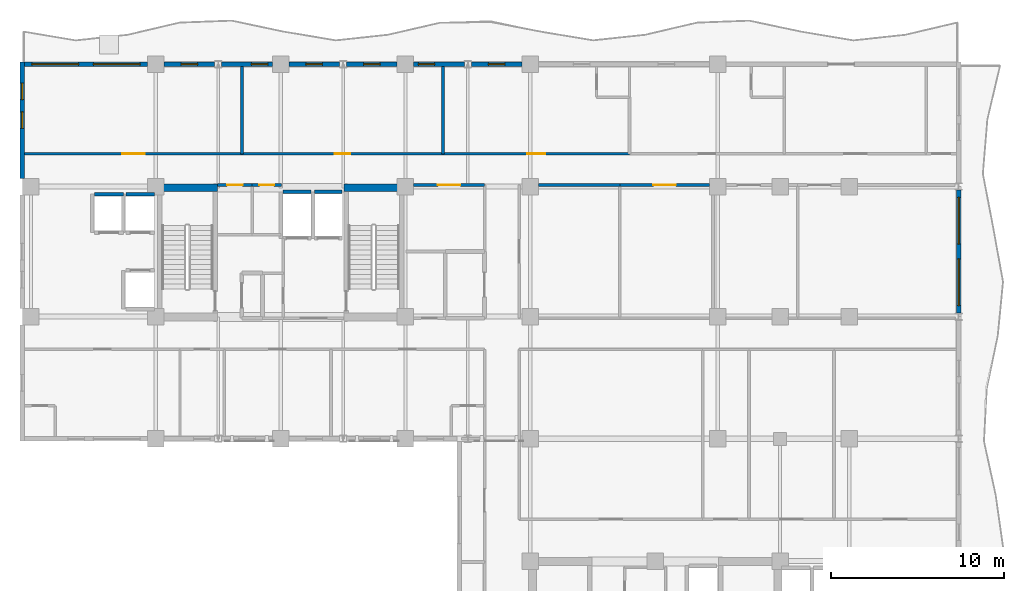
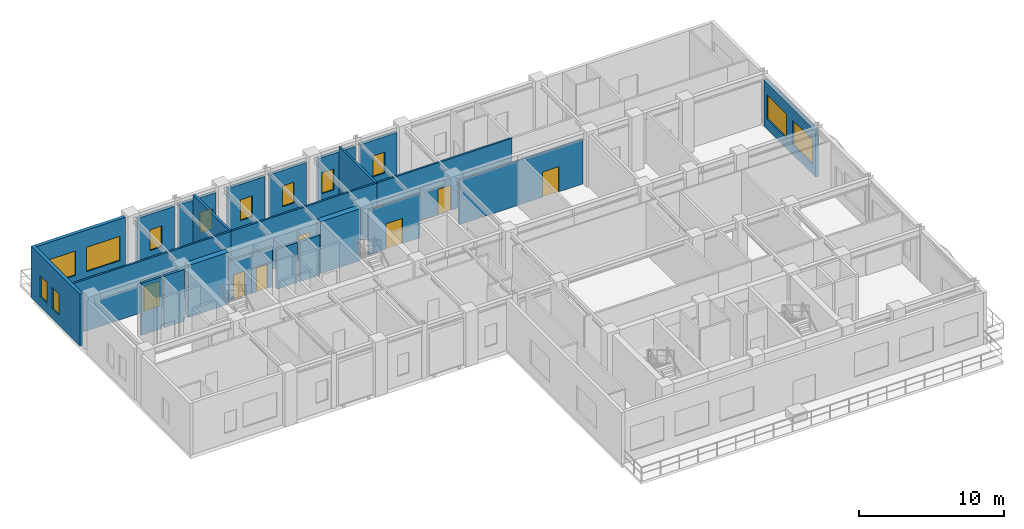
# One storey, part 9 of 14: 25 walls, 12 windows, 7 doors, 19 openings.
"""IFC4 building model written with IfcOpenShell, lengths in metres."""

from ifc_helpers import new_model, si_unit, direction, frame, frame_2d, origin, place, context, subcontext, project, spatial, rectangle, extrude, material, layer, layer_set, type_object, element, fill, save


model = new_model("IFC4")

# Units and contexts
model_context = context("Model", 3, precision=1e-05, world=origin(), true_north=direction((0.0, 1.0)))
body_context = subcontext(model_context, "Body", "Model", "MODEL_VIEW")
ifc_project = project(units=[si_unit("LENGTHUNIT", "METRE"), si_unit("AREAUNIT", "SQUARE_METRE"), si_unit("VOLUMEUNIT", "CUBIC_METRE"), si_unit("PLANEANGLEUNIT", "RADIAN"), si_unit("MASSUNIT", "GRAM", prefix="KILO")], contexts=[model_context])

# Site, building, storey
site_placement = place(None, origin())
site = spatial("IfcSite", under=ifc_project, at=site_placement, CompositionType="ELEMENT")
building_placement = place(site_placement, origin())
building = spatial("IfcBuilding", under=site, at=building_placement, Name="Kaliganga Portal Commons", CompositionType="ELEMENT")
storey_placement = place(building_placement, frame((0.0, 0.0, 197.199951171875)))
storey = spatial("IfcBuildingStorey", under=building, at=storey_placement, Name="L50", CompositionType="ELEMENT", Elevation=197.199951171875)

# Walls
ifc_material_1 = material(Name="Concrete C60/75", Category="concrete")
ifc_layer_1 = layer(ifc_material_1, 0.449951171875)
ifc_layer_set_1 = layer_set([ifc_layer_1], Name="Concrete C60/75")
wall_type_1 = type_object("IfcWallType", Name="WL-CORE-450", PredefinedType="SHEAR", material=ifc_layer_set_1)
for number, where, z_axis, x_axis, name in (
    (1, (14.75, 36.074951171875, 0.0), (0.0, 0.0, 1.0), (1.0, 0.0, 0.0), "Core A N-West Shear Wall L50"),
    (2, (25.25, 36.074951171875, 0.0), (0.0, 0.0, 1.0), (1.0, 0.0, 0.0), "Core A N-East Shear Wall L50"),
):
    element("IfcWall", number, at=place(storey_placement, frame(where, z_axis=z_axis, x_axis=x_axis)), inside=storey, type_object=wall_type_1, Name=name, PredefinedType="SHEAR", context=body_context, shape_type="SweptSolid", body=[
        extrude(rectangle(XDim=3.199951171875, YDim=0.449951171875, at=frame_2d((1.60009765625, 0.0))), origin(), (0.0, 0.0, 1.0), 4.3701171875),
    ])

# Wall, openings, windows
ifc_material_2 = material(Name="Insulated Aluminium-Clad Spandrel Assembly", Category="aluminium")
ifc_layer_2 = layer(ifc_material_2, 0.260009765625)
ifc_layer_set_2 = layer_set([ifc_layer_2], Name="Insulated Aluminium-Clad Spandrel Assembly")
wall_type_2 = type_object("IfcWallType", Name="WL-EXT-SPAND-260", PredefinedType="STANDARD", material=ifc_layer_set_2)
wall_1_placement = place(storey_placement, frame((60.699951171875, 35.948974609375, 0.0), z_axis=(0.0, 0.0, 1.0), x_axis=(0.0, -1.0, 0.0)))
wall_1 = element("IfcWall", 3, at=wall_1_placement, inside=storey, type_object=wall_type_2, Name="Exterior Envelope Wall L50 P1-E01-S5", PredefinedType="STANDARD", context=body_context, shape_type="SweptSolid", body=[
    extrude(rectangle(XDim=7.097900390625, YDim=0.260009765625, at=frame_2d((3.548828125, 0.0))), origin(), (0.0, 0.0, 1.0), 3.900146484375),
])
opening_1_placement = place(wall_1_placement, frame((0.424560546875, 0.0, 0.85009765625)))
opening_1 = element("IfcOpeningElement", 4, at=opening_1_placement, cuts=wall_1, Name="Opening W-07", PredefinedType="OPENING", context=body_context, shape_type="SweptSolid", body=[
    extrude(rectangle(XDim=2.699951171875, YDim=2.050048828125, at=frame_2d((1.35009765625, 1.02490234375))), frame((0.0, 0.14013671875, 0.0), z_axis=(0.0, -1.0, 0.0), x_axis=(1.0, 0.0, 0.0)), (0.0, 0.0, 1.0), 0.280029296875),
])
opening_2_placement = place(wall_1_placement, frame((3.973388671875, 0.0, 0.85009765625)))
opening_2 = element("IfcOpeningElement", 5, at=opening_2_placement, cuts=wall_1, Name="Opening W-07", PredefinedType="OPENING", context=body_context, shape_type="SweptSolid", body=[
    extrude(rectangle(XDim=2.699951171875, YDim=2.050048828125, at=frame_2d((1.35009765625, 1.02490234375))), frame((0.0, 0.14013671875, 0.0), z_axis=(0.0, -1.0, 0.0), x_axis=(1.0, 0.0, 0.0)), (0.0, 0.0, 1.0), 0.280029296875),
])
ifc_material_3 = material(Name="Thermally Broken Aluminium and Low-E Double Glazing", Category="aluminium")
window_type_1 = type_object("IfcWindowType", Name="WIN-LOUNGE-2700", PartitioningType="TRIPLE_PANEL_VERTICAL", PredefinedType="WINDOW", material=ifc_material_3)
window_1_placement = place(opening_1_placement, origin())
window_1 = element("IfcWindow", 6, at=window_1_placement, inside=storey, type_object=window_type_1, Name="Facade Window L50-P1E01S5-00", OverallHeight=2.050048828125, OverallWidth=2.699951171875, PartitioningType="SINGLE_PANEL", PredefinedType="WINDOW", context=body_context, shape_type="SweptSolid", body=[
    extrude(rectangle(XDim=2.699951171875, YDim=2.050048828125, at=frame_2d((1.35009765625, 1.02490234375))), frame((0.0, 0.030029296875, 0.0), z_axis=(0.0, -1.0, 0.0), x_axis=(1.0, 0.0, 0.0)), (0.0, 0.0, 1.0), 0.06005859375),
])
fill(opening_1, window_1)
window_2_placement = place(opening_2_placement, origin())
window_2 = element("IfcWindow", 7, at=window_2_placement, inside=storey, type_object=window_type_1, Name="Facade Window L50-P1E01S5-01", OverallHeight=2.050048828125, OverallWidth=2.699951171875, PartitioningType="SINGLE_PANEL", PredefinedType="WINDOW", context=body_context, shape_type="SweptSolid", body=[
    extrude(rectangle(XDim=2.699951171875, YDim=2.050048828125, at=frame_2d((1.35009765625, 1.02490234375))), frame((0.0, 0.030029296875, 0.0), z_axis=(0.0, -1.0, 0.0), x_axis=(1.0, 0.0, 0.0)), (0.0, 0.0, 1.0), 0.06005859375),
])
fill(opening_2, window_2)

# Wall, opening, window
wall_2_placement = place(storey_placement, frame((32.6005859375, 43.199951171875, 0.0), z_axis=(0.0, 0.0, 1.0), x_axis=(1.0, 0.0, 0.0)))
wall_2 = element("IfcWall", 8, at=wall_2_placement, inside=storey, type_object=wall_type_2, Name="Exterior Envelope Wall L50 P1-E02-S3", PredefinedType="STANDARD", context=body_context, shape_type="SweptSolid", body=[
    extrude(rectangle(XDim=2.92333984375, YDim=0.260009765625, at=frame_2d((1.461669921875, 0.0))), origin(), (0.0, 0.0, 1.0), 3.900146484375),
])
opening_3_placement = place(wall_2_placement, frame((0.98681640625, 0.0, 0.85009765625)))
opening_3 = element("IfcOpeningElement", 9, at=opening_3_placement, cuts=wall_2, Name="Opening W-04", PredefinedType="OPENING", context=body_context, shape_type="SweptSolid", body=[
    extrude(rectangle(XDim=0.949951171875, YDim=1.75, at=frame_2d((0.47509765625, 0.875))), frame((0.0, 0.14013671875, 0.0), z_axis=(0.0, -1.0, 0.0), x_axis=(1.0, 0.0, 0.0)), (0.0, 0.0, 1.0), 0.280029296875),
])
window_type_2 = type_object("IfcWindowType", Name="WIN-NARROW-950", PartitioningType="SINGLE_PANEL", PredefinedType="WINDOW", material=ifc_material_3)
window_3_placement = place(opening_3_placement, origin())
window_3 = element("IfcWindow", 10, at=window_3_placement, inside=storey, type_object=window_type_2, Name="Facade Window L50-P1E02S3-00", OverallHeight=1.75, OverallWidth=0.949951171875, PartitioningType="SINGLE_PANEL", PredefinedType="WINDOW", context=body_context, shape_type="SweptSolid", body=[
    extrude(rectangle(XDim=0.949951171875, YDim=1.75, at=frame_2d((0.47509765625, 0.875))), frame((0.0, 0.030029296875, 0.0), z_axis=(0.0, -1.0, 0.0), x_axis=(1.0, 0.0, 0.0)), (0.0, 0.0, 1.0), 0.06005859375),
])
fill(opening_3, window_3)

wall_3_placement = place(storey_placement, frame((29.27587890625, 43.199951171875, 0.0), z_axis=(0.0, 0.0, 1.0), x_axis=(1.0, 0.0, 0.0)))
wall_3 = element("IfcWall", 11, at=wall_3_placement, inside=storey, type_object=wall_type_2, Name="Exterior Envelope Wall L50 P1-E02-S4", PredefinedType="STANDARD", context=body_context, shape_type="SweptSolid", body=[
    extrude(rectangle(XDim=2.923583984375, YDim=0.260009765625, at=frame_2d((1.4619140625, 0.0))), origin(), (0.0, 0.0, 1.0), 3.900146484375),
])
opening_4_placement = place(wall_3_placement, frame((0.26171875, 0.0, 0.85009765625)))
opening_4 = element("IfcOpeningElement", 12, at=opening_4_placement, cuts=wall_3, Name="Opening W-04", PredefinedType="OPENING", context=body_context, shape_type="SweptSolid", body=[
    extrude(rectangle(XDim=0.949951171875, YDim=1.75, at=frame_2d((0.47509765625, 0.875))), frame((0.0, 0.14013671875, 0.0), z_axis=(0.0, -1.0, 0.0), x_axis=(1.0, 0.0, 0.0)), (0.0, 0.0, 1.0), 0.280029296875),
])
window_4_placement = place(opening_4_placement, origin())
window_4 = element("IfcWindow", 13, at=window_4_placement, inside=storey, type_object=window_type_2, Name="Facade Window L50-P1E02S4-N1", OverallHeight=1.75, OverallWidth=0.949951171875, PartitioningType="SINGLE_PANEL", PredefinedType="WINDOW", context=body_context, shape_type="SweptSolid", body=[
    extrude(rectangle(XDim=0.949951171875, YDim=1.75, at=frame_2d((0.47509765625, 0.875))), frame((0.0, 0.030029296875, 0.0), z_axis=(0.0, -1.0, 0.0), x_axis=(1.0, 0.0, 0.0)), (0.0, 0.0, 1.0), 0.06005859375),
])
fill(opening_4, window_4)

wall_4_placement = place(storey_placement, frame((25.400390625, 43.199951171875, 0.0), z_axis=(0.0, 0.0, 1.0), x_axis=(1.0, 0.0, 0.0)))
wall_4 = element("IfcWall", 14, at=wall_4_placement, inside=storey, type_object=wall_type_2, Name="Exterior Envelope Wall L50 P1-E02-S5", PredefinedType="STANDARD", context=body_context, shape_type="SweptSolid", body=[
    extrude(rectangle(XDim=2.923583984375, YDim=0.260009765625, at=frame_2d((1.4619140625, 0.0))), origin(), (0.0, 0.0, 1.0), 3.900146484375),
])
opening_5_placement = place(wall_4_placement, frame((0.98681640625, 0.0, 0.85009765625)))
opening_5 = element("IfcOpeningElement", 15, at=opening_5_placement, cuts=wall_4, Name="Opening W-04", PredefinedType="OPENING", context=body_context, shape_type="SweptSolid", body=[
    extrude(rectangle(XDim=0.949951171875, YDim=1.75, at=frame_2d((0.47509765625, 0.875))), frame((0.0, 0.14013671875, 0.0), z_axis=(0.0, -1.0, 0.0), x_axis=(1.0, 0.0, 0.0)), (0.0, 0.0, 1.0), 0.280029296875),
])
window_5_placement = place(opening_5_placement, origin())
window_5 = element("IfcWindow", 16, at=window_5_placement, inside=storey, type_object=window_type_2, Name="Facade Window L50-P1E02S5-00", OverallHeight=1.75, OverallWidth=0.949951171875, PartitioningType="SINGLE_PANEL", PredefinedType="WINDOW", context=body_context, shape_type="SweptSolid", body=[
    extrude(rectangle(XDim=0.949951171875, YDim=1.75, at=frame_2d((0.47509765625, 0.875))), frame((0.0, 0.030029296875, 0.0), z_axis=(0.0, -1.0, 0.0), x_axis=(1.0, 0.0, 0.0)), (0.0, 0.0, 1.0), 0.06005859375),
])
fill(opening_5, window_5)

wall_5_placement = place(storey_placement, frame((22.075927734375, 43.199951171875, 0.0), z_axis=(0.0, 0.0, 1.0), x_axis=(1.0, 0.0, 0.0)))
wall_5 = element("IfcWall", 17, at=wall_5_placement, inside=storey, type_object=wall_type_2, Name="Exterior Envelope Wall L50 P1-E02-S6", PredefinedType="STANDARD", context=body_context, shape_type="SweptSolid", body=[
    extrude(rectangle(XDim=2.923583984375, YDim=0.260009765625, at=frame_2d((1.4619140625, 0.0))), origin(), (0.0, 0.0, 1.0), 3.900146484375),
])
opening_6_placement = place(wall_5_placement, frame((0.98681640625, 0.0, 0.85009765625)))
opening_6 = element("IfcOpeningElement", 18, at=opening_6_placement, cuts=wall_5, Name="Opening W-04", PredefinedType="OPENING", context=body_context, shape_type="SweptSolid", body=[
    extrude(rectangle(XDim=0.949951171875, YDim=1.75, at=frame_2d((0.47509765625, 0.875))), frame((0.0, 0.14013671875, 0.0), z_axis=(0.0, -1.0, 0.0), x_axis=(1.0, 0.0, 0.0)), (0.0, 0.0, 1.0), 0.280029296875),
])
window_6_placement = place(opening_6_placement, origin())
window_6 = element("IfcWindow", 19, at=window_6_placement, inside=storey, type_object=window_type_2, Name="Facade Window L50-P1E02S6-00", OverallHeight=1.75, OverallWidth=0.949951171875, PartitioningType="SINGLE_PANEL", PredefinedType="WINDOW", context=body_context, shape_type="SweptSolid", body=[
    extrude(rectangle(XDim=0.949951171875, YDim=1.75, at=frame_2d((0.47509765625, 0.875))), frame((0.0, 0.030029296875, 0.0), z_axis=(0.0, -1.0, 0.0), x_axis=(1.0, 0.0, 0.0)), (0.0, 0.0, 1.0), 0.06005859375),
])
fill(opening_6, window_6)

wall_6_placement = place(storey_placement, frame((18.200439453125, 43.199951171875, 0.0), z_axis=(0.0, 0.0, 1.0), x_axis=(1.0, 0.0, 0.0)))
wall_6 = element("IfcWall", 20, at=wall_6_placement, inside=storey, type_object=wall_type_2, Name="Exterior Envelope Wall L50 P1-E02-S7", PredefinedType="STANDARD", context=body_context, shape_type="SweptSolid", body=[
    extrude(rectangle(XDim=2.923583984375, YDim=0.260009765625, at=frame_2d((1.4619140625, 0.0))), origin(), (0.0, 0.0, 1.0), 3.900146484375),
])
opening_7_placement = place(wall_6_placement, frame((1.7119140625, 0.0, 0.85009765625)))
opening_7 = element("IfcOpeningElement", 21, at=opening_7_placement, cuts=wall_6, Name="Opening W-04", PredefinedType="OPENING", context=body_context, shape_type="SweptSolid", body=[
    extrude(rectangle(XDim=0.949951171875, YDim=1.75, at=frame_2d((0.47509765625, 0.875))), frame((0.0, 0.14013671875, 0.0), z_axis=(0.0, -1.0, 0.0), x_axis=(1.0, 0.0, 0.0)), (0.0, 0.0, 1.0), 0.280029296875),
])
window_7_placement = place(opening_7_placement, origin())
window_7 = element("IfcWindow", 22, at=window_7_placement, inside=storey, type_object=window_type_2, Name="Facade Window L50-P1E02S7-N2", OverallHeight=1.75, OverallWidth=0.949951171875, PartitioningType="SINGLE_PANEL", PredefinedType="WINDOW", context=body_context, shape_type="SweptSolid", body=[
    extrude(rectangle(XDim=0.949951171875, YDim=1.75, at=frame_2d((0.47509765625, 0.875))), frame((0.0, 0.030029296875, 0.0), z_axis=(0.0, -1.0, 0.0), x_axis=(1.0, 0.0, 0.0)), (0.0, 0.0, 1.0), 0.06005859375),
])
fill(opening_7, window_7)

wall_7_placement = place(storey_placement, frame((14.8759765625, 43.199951171875, 0.0), z_axis=(0.0, 0.0, 1.0), x_axis=(1.0, 0.0, 0.0)))
wall_7 = element("IfcWall", 23, at=wall_7_placement, inside=storey, type_object=wall_type_2, Name="Exterior Envelope Wall L50 P1-E02-S8", PredefinedType="STANDARD", context=body_context, shape_type="SweptSolid", body=[
    extrude(rectangle(XDim=2.923583984375, YDim=0.260009765625, at=frame_2d((1.4619140625, 0.0))), origin(), (0.0, 0.0, 1.0), 3.900146484375),
])
opening_8_placement = place(wall_7_placement, frame((0.98681640625, 0.0, 0.85009765625)))
opening_8 = element("IfcOpeningElement", 24, at=opening_8_placement, cuts=wall_7, Name="Opening W-04", PredefinedType="OPENING", context=body_context, shape_type="SweptSolid", body=[
    extrude(rectangle(XDim=0.949951171875, YDim=1.75, at=frame_2d((0.47509765625, 0.875))), frame((0.0, 0.14013671875, 0.0), z_axis=(0.0, -1.0, 0.0), x_axis=(1.0, 0.0, 0.0)), (0.0, 0.0, 1.0), 0.280029296875),
])
window_8_placement = place(opening_8_placement, origin())
window_8 = element("IfcWindow", 25, at=window_8_placement, inside=storey, type_object=window_type_2, Name="Facade Window L50-P1E02S8-00", OverallHeight=1.75, OverallWidth=0.949951171875, PartitioningType="SINGLE_PANEL", PredefinedType="WINDOW", context=body_context, shape_type="SweptSolid", body=[
    extrude(rectangle(XDim=0.949951171875, YDim=1.75, at=frame_2d((0.47509765625, 0.875))), frame((0.0, 0.030029296875, 0.0), z_axis=(0.0, -1.0, 0.0), x_axis=(1.0, 0.0, 0.0)), (0.0, 0.0, 1.0), 0.06005859375),
])
fill(opening_8, window_8)

# Wall, openings, windows
wall_8_placement = place(storey_placement, frame((6.8349609375, 43.199951171875, 0.0), z_axis=(0.0, 0.0, 1.0), x_axis=(1.0, 0.0, 0.0)))
wall_8 = element("IfcWall", 26, at=wall_8_placement, inside=storey, type_object=wall_type_2, Name="Exterior Envelope Wall L50 P1-E02-S9", PredefinedType="STANDARD", context=body_context, shape_type="SweptSolid", body=[
    extrude(rectangle(XDim=7.089111328125, YDim=0.260009765625, at=frame_2d((3.54443359375, 0.0))), origin(), (0.0, 0.0, 1.0), 4.35009765625),
])
opening_9_placement = place(wall_8_placement, frame((0.422119140625, 0.0, 0.85009765625)))
opening_9 = element("IfcOpeningElement", 27, at=opening_9_placement, cuts=wall_8, Name="Opening W-07", PredefinedType="OPENING", context=body_context, shape_type="SweptSolid", body=[
    extrude(rectangle(XDim=2.699951171875, YDim=2.050048828125, at=frame_2d((1.35009765625, 1.02490234375))), frame((0.0, 0.14013671875, 0.0), z_axis=(0.0, -1.0, 0.0), x_axis=(1.0, 0.0, 0.0)), (0.0, 0.0, 1.0), 0.280029296875),
])
opening_10_placement = place(wall_8_placement, frame((3.966796875, 0.0, 0.85009765625)))
opening_10 = element("IfcOpeningElement", 28, at=opening_10_placement, cuts=wall_8, Name="Opening W-07", PredefinedType="OPENING", context=body_context, shape_type="SweptSolid", body=[
    extrude(rectangle(XDim=2.699951171875, YDim=2.050048828125, at=frame_2d((1.35009765625, 1.02490234375))), frame((0.0, 0.14013671875, 0.0), z_axis=(0.0, -1.0, 0.0), x_axis=(1.0, 0.0, 0.0)), (0.0, 0.0, 1.0), 0.280029296875),
])
window_9_placement = place(opening_9_placement, origin())
window_9 = element("IfcWindow", 29, at=window_9_placement, inside=storey, type_object=window_type_1, Name="Facade Window L50-P1E02S9-00", OverallHeight=2.050048828125, OverallWidth=2.699951171875, PartitioningType="SINGLE_PANEL", PredefinedType="WINDOW", context=body_context, shape_type="SweptSolid", body=[
    extrude(rectangle(XDim=2.699951171875, YDim=2.050048828125, at=frame_2d((1.35009765625, 1.02490234375))), frame((0.0, 0.030029296875, 0.0), z_axis=(0.0, -1.0, 0.0), x_axis=(1.0, 0.0, 0.0)), (0.0, 0.0, 1.0), 0.06005859375),
])
fill(opening_9, window_9)
window_10_placement = place(opening_10_placement, origin())
window_10 = element("IfcWindow", 30, at=window_10_placement, inside=storey, type_object=window_type_1, Name="Facade Window L50-P1E02S9-01", OverallHeight=2.050048828125, OverallWidth=2.699951171875, PartitioningType="SINGLE_PANEL", PredefinedType="WINDOW", context=body_context, shape_type="SweptSolid", body=[
    extrude(rectangle(XDim=2.699951171875, YDim=2.050048828125, at=frame_2d((1.35009765625, 1.02490234375))), frame((0.0, 0.030029296875, 0.0), z_axis=(0.0, -1.0, 0.0), x_axis=(1.0, 0.0, 0.0)), (0.0, 0.0, 1.0), 0.06005859375),
])
fill(opening_10, window_10)

wall_9_placement = place(storey_placement, frame((6.699951171875, 36.6259765625, 0.0), z_axis=(0.0, 0.0, 1.0), x_axis=(0.0, 1.0, 0.0)))
wall_9 = element("IfcWall", 31, at=wall_9_placement, inside=storey, type_object=wall_type_2, Name="Exterior Envelope Wall L50 P1-E03-S1", PredefinedType="STANDARD", context=body_context, shape_type="SweptSolid", body=[
    extrude(rectangle(XDim=6.7041015625, YDim=0.260009765625, at=frame_2d((3.35205078125, 0.0))), origin(), (0.0, 0.0, 1.0), 4.35009765625),
])
opening_11_placement = place(wall_9_placement, frame((2.876953125, 0.0, 0.85009765625)))
opening_11 = element("IfcOpeningElement", 32, at=opening_11_placement, cuts=wall_9, Name="Opening W-04", PredefinedType="OPENING", context=body_context, shape_type="SweptSolid", body=[
    extrude(rectangle(XDim=0.949951171875, YDim=1.75, at=frame_2d((0.47509765625, 0.875))), frame((0.0, 0.14013671875, 0.0), z_axis=(0.0, -1.0, 0.0), x_axis=(1.0, 0.0, 0.0)), (0.0, 0.0, 1.0), 0.280029296875),
])
opening_12_placement = place(wall_9_placement, frame((4.53955078125, 0.0, 0.85009765625)))
opening_12 = element("IfcOpeningElement", 33, at=opening_12_placement, cuts=wall_9, Name="Opening W-04", PredefinedType="OPENING", context=body_context, shape_type="SweptSolid", body=[
    extrude(rectangle(XDim=0.949951171875, YDim=1.75, at=frame_2d((0.47509765625, 0.875))), frame((0.0, 0.14013671875, 0.0), z_axis=(0.0, -1.0, 0.0), x_axis=(1.0, 0.0, 0.0)), (0.0, 0.0, 1.0), 0.280029296875),
])
window_11_placement = place(opening_11_placement, origin())
window_11 = element("IfcWindow", 34, at=window_11_placement, inside=storey, type_object=window_type_2, Name="Facade Window L50-P1E03S1-N0", OverallHeight=1.75, OverallWidth=0.949951171875, PartitioningType="SINGLE_PANEL", PredefinedType="WINDOW", context=body_context, shape_type="SweptSolid", body=[
    extrude(rectangle(XDim=0.949951171875, YDim=1.75, at=frame_2d((0.47509765625, 0.875))), frame((0.0, 0.030029296875, 0.0), z_axis=(0.0, -1.0, 0.0), x_axis=(1.0, 0.0, 0.0)), (0.0, 0.0, 1.0), 0.06005859375),
])
fill(opening_11, window_11)
window_12_placement = place(opening_12_placement, origin())
window_12 = element("IfcWindow", 35, at=window_12_placement, inside=storey, type_object=window_type_2, Name="Facade Window L50-P1E03S1-N2", OverallHeight=1.75, OverallWidth=0.949951171875, PartitioningType="SINGLE_PANEL", PredefinedType="WINDOW", context=body_context, shape_type="SweptSolid", body=[
    extrude(rectangle(XDim=0.949951171875, YDim=1.75, at=frame_2d((0.47509765625, 0.875))), frame((0.0, 0.030029296875, 0.0), z_axis=(0.0, -1.0, 0.0), x_axis=(1.0, 0.0, 0.0)), (0.0, 0.0, 1.0), 0.06005859375),
])
fill(opening_12, window_12)

# Wall, opening, door
ifc_material_4 = material(Name="Fire-Rated Gypsum Board on Steel Stud", Category="steel")
ifc_layer_3 = layer(ifc_material_4, 0.14990234375)
ifc_layer_set_3 = layer_set([ifc_layer_3], Name="Fire-Rated Gypsum Board on Steel Stud")
wall_type_3 = type_object("IfcWallType", Name="WL-PART-CORR-150", PredefinedType="PARTITIONING", material=ifc_layer_set_3)
wall_10_placement = place(storey_placement, frame((6.83203125, 38.0400390625, 0.0), z_axis=(0.0, 0.0, 1.0), x_axis=(1.0, 0.0, 0.0)))
wall_10 = element("IfcWall", 36, at=wall_10_placement, inside=storey, type_object=wall_type_3, Name="Interior Partition L50-013", PredefinedType="PARTITIONING", context=body_context, shape_type="SweptSolid", body=[
    extrude(rectangle(XDim=12.5478515625, YDim=0.14990234375, at=frame_2d((6.27392578125, 0.0))), origin(), (0.0, 0.0, 1.0), 4.35009765625),
])
opening_13_placement = place(wall_10_placement, frame((5.6240234375, 0.0, 0.0)))
opening_13 = element("IfcOpeningElement", 37, at=opening_13_placement, cuts=wall_10, Name="Opening RD-03", PredefinedType="OPENING", context=body_context, shape_type="SweptSolid", body=[
    extrude(rectangle(XDim=1.300048828125, YDim=2.1201171875, at=frame_2d((0.64990234375, 1.06005859375))), frame((0.0, 0.0849609375, 0.0), z_axis=(0.0, -1.0, 0.0), x_axis=(1.0, 0.0, 0.0)), (0.0, 0.0, 1.0), 0.169921875),
])
ifc_material_5 = material(Name="Glazed Timber Seminar Vision Door", Category="wood")
door_type_1 = type_object("IfcDoorType", Name="DR-STUDY-1300", OperationType="DOUBLE_DOOR_SINGLE_SWING", PredefinedType="DOOR", material=ifc_material_5)
door_1_placement = place(opening_13_placement, origin())
door_1 = element("IfcDoor", 38, at=door_1_placement, inside=storey, type_object=door_type_1, Name="Interior Door L50-AN01", OperationType="DOUBLE_DOOR_SINGLE_SWING", OverallHeight=2.1201171875, OverallWidth=1.300048828125, PredefinedType="DOOR", context=body_context, shape_type="SweptSolid", body=[
    extrude(rectangle(XDim=1.300048828125, YDim=2.1201171875, at=frame_2d((0.64990234375, 1.06005859375))), frame((0.0, 0.02490234375, 0.0), z_axis=(0.0, -1.0, 0.0), x_axis=(1.0, 0.0, 0.0)), (0.0, 0.0, 1.0), 0.050048828125),
])
fill(opening_13, door_1)

wall_11_placement = place(storey_placement, frame((19.3798828125, 38.0400390625, 0.0), z_axis=(0.0, 0.0, 1.0), x_axis=(1.0, 0.0, 0.0)))
wall_11 = element("IfcWall", 39, at=wall_11_placement, inside=storey, type_object=wall_type_3, Name="Interior Partition L50-014", PredefinedType="PARTITIONING", context=body_context, shape_type="SweptSolid", body=[
    extrude(rectangle(XDim=11.580078125, YDim=0.14990234375, at=frame_2d((5.7900390625, 0.0))), origin(), (0.0, 0.0, 1.0), 4.35009765625),
])
opening_14_placement = place(wall_11_placement, frame((5.340087890625, 0.0, 0.0)))
opening_14 = element("IfcOpeningElement", 40, at=opening_14_placement, cuts=wall_11, Name="Opening RD-01", PredefinedType="OPENING", context=body_context, shape_type="SweptSolid", body=[
    extrude(rectangle(XDim=0.89990234375, YDim=2.080078125, at=frame_2d((0.449951171875, 1.0400390625))), frame((0.0, 0.0849609375, 0.0), z_axis=(0.0, -1.0, 0.0), x_axis=(1.0, 0.0, 0.0)), (0.0, 0.0, 1.0), 0.169921875),
])
ifc_material_6 = material(Name="Engineered Timber Flush Door", Category="wood")
door_type_2 = type_object("IfcDoorType", Name="DR-ROOM-900", OperationType="NOTDEFINED", PredefinedType="DOOR", material=ifc_material_6)
door_2_placement = place(opening_14_placement, origin())
door_2 = element("IfcDoor", 41, at=door_2_placement, inside=storey, type_object=door_type_2, Name="Interior Door L50-AN02", OperationType="SINGLE_SWING_RIGHT", OverallHeight=2.080078125, OverallWidth=0.89990234375, PredefinedType="DOOR", context=body_context, shape_type="SweptSolid", body=[
    extrude(rectangle(XDim=0.89990234375, YDim=2.080078125, at=frame_2d((0.449951171875, 1.0400390625))), frame((0.0, 0.02490234375, 0.0), z_axis=(0.0, -1.0, 0.0), x_axis=(1.0, 0.0, 0.0)), (0.0, 0.0, 1.0), 0.050048828125),
])
fill(opening_14, door_2)

wall_12_placement = place(storey_placement, frame((30.9599609375, 38.0400390625, 0.0), z_axis=(0.0, 0.0, 1.0), x_axis=(1.0, 0.0, 0.0)))
wall_12 = element("IfcWall", 42, at=wall_12_placement, inside=storey, type_object=wall_type_3, Name="Interior Partition L50-015", PredefinedType="PARTITIONING", context=body_context, shape_type="SweptSolid", body=[
    extrude(rectangle(XDim=10.760009765625, YDim=0.14990234375, at=frame_2d((5.3798828125, 0.0))), origin(), (0.0, 0.0, 1.0), 4.35009765625),
])
opening_15_placement = place(wall_12_placement, frame((4.85498046875, 0.0, 0.0)))
opening_15 = element("IfcOpeningElement", 43, at=opening_15_placement, cuts=wall_12, Name="Opening UD-02", PredefinedType="OPENING", context=body_context, shape_type="SweptSolid", body=[
    extrude(rectangle(XDim=1.050048828125, YDim=2.1201171875, at=frame_2d((0.52490234375, 1.06005859375))), frame((0.0, 0.0849609375, 0.0), z_axis=(0.0, -1.0, 0.0), x_axis=(1.0, 0.0, 0.0)), (0.0, 0.0, 1.0), 0.169921875),
])
ifc_material_7 = material(Name="Accessible Wide-Leaf Acoustic Fire Door", Category="wood")
door_type_3 = type_object("IfcDoorType", Name="DR-ACC-1050", OperationType="NOTDEFINED", PredefinedType="DOOR", material=ifc_material_7)
door_3_placement = place(opening_15_placement, origin())
door_3 = element("IfcDoor", 44, at=door_3_placement, inside=storey, type_object=door_type_3, Name="Interior Door L50-AN03", OperationType="SINGLE_SWING_LEFT", OverallHeight=2.1201171875, OverallWidth=1.050048828125, PredefinedType="DOOR", context=body_context, shape_type="SweptSolid", body=[
    extrude(rectangle(XDim=1.050048828125, YDim=2.1201171875, at=frame_2d((0.52490234375, 1.06005859375))), frame((0.0, 0.02490234375, 0.0), z_axis=(0.0, -1.0, 0.0), x_axis=(1.0, 0.0, 0.0)), (0.0, 0.0, 1.0), 0.050048828125),
])
fill(opening_15, door_3)

# Wall
wall_13_placement = place(storey_placement, frame((36.47509765625, 36.239990234375, 0.0), z_axis=(0.0, 0.0, 1.0), x_axis=(1.0, 0.0, 0.0)))
element("IfcWall", 45, at=wall_13_placement, inside=storey, type_object=wall_type_3, Name="Interior Partition L50-029", PredefinedType="PARTITIONING", context=body_context, shape_type="SweptSolid", body=[
    extrude(rectangle(XDim=4.684814453125, YDim=0.14990234375, at=frame_2d((2.34228515625, 0.0))), origin(), (0.0, 0.0, 1.0), 3.75),
])

# Wall, opening, door
wall_14_placement = place(storey_placement, frame((41.159912109375, 36.239990234375, 0.0), z_axis=(0.0, 0.0, 1.0), x_axis=(1.0, 0.0, 0.0)))
wall_14 = element("IfcWall", 46, at=wall_14_placement, inside=storey, type_object=wall_type_3, Name="Interior Partition L50-030", PredefinedType="PARTITIONING", context=body_context, shape_type="SweptSolid", body=[
    extrude(rectangle(XDim=5.1650390625, YDim=0.14990234375, at=frame_2d((2.58251953125, 0.0))), origin(), (0.0, 0.0, 1.0), 3.75),
])
opening_16_placement = place(wall_14_placement, frame((1.9326171875, 0.0, 0.0)))
opening_16 = element("IfcOpeningElement", 47, at=opening_16_placement, cuts=wall_14, Name="Opening RD-03", PredefinedType="OPENING", context=body_context, shape_type="SweptSolid", body=[
    extrude(rectangle(XDim=1.300048828125, YDim=2.1201171875, at=frame_2d((0.64990234375, 1.06005859375))), frame((0.0, 0.0849609375, 0.0), z_axis=(0.0, -1.0, 0.0), x_axis=(1.0, 0.0, 0.0)), (0.0, 0.0, 1.0), 0.169921875),
])
door_4_placement = place(opening_16_placement, origin())
door_4 = element("IfcDoor", 48, at=door_4_placement, inside=storey, type_object=door_type_1, Name="Interior Door L50-BK02", OperationType="DOUBLE_DOOR_SINGLE_SWING", OverallHeight=2.1201171875, OverallWidth=1.300048828125, PredefinedType="DOOR", context=body_context, shape_type="SweptSolid", body=[
    extrude(rectangle(XDim=1.300048828125, YDim=2.1201171875, at=frame_2d((0.64990234375, 1.06005859375))), frame((0.0, 0.02490234375, 0.0), z_axis=(0.0, -1.0, 0.0), x_axis=(1.0, 0.0, 0.0)), (0.0, 0.0, 1.0), 0.050048828125),
])
fill(opening_16, door_4)

wall_15_placement = place(storey_placement, frame((29.27490234375, 36.239990234375, 0.0), z_axis=(0.0, 0.0, 1.0), x_axis=(1.0, 0.0, 0.0)))
wall_15 = element("IfcWall", 49, at=wall_15_placement, inside=storey, type_object=wall_type_3, Name="Interior Partition L50-034", PredefinedType="PARTITIONING", context=body_context, shape_type="SweptSolid", body=[
    extrude(rectangle(XDim=4.085205078125, YDim=0.14990234375, at=frame_2d((2.04248046875, 0.0))), origin(), (0.0, 0.0, 1.0), 3.75),
])
opening_17_placement = place(wall_15_placement, frame((1.392578125, 0.0, 0.0)))
opening_17 = element("IfcOpeningElement", 50, at=opening_17_placement, cuts=wall_15, Name="Opening RD-03", PredefinedType="OPENING", context=body_context, shape_type="SweptSolid", body=[
    extrude(rectangle(XDim=1.300048828125, YDim=2.1201171875, at=frame_2d((0.64990234375, 1.06005859375))), frame((0.0, 0.0849609375, 0.0), z_axis=(0.0, -1.0, 0.0), x_axis=(1.0, 0.0, 0.0)), (0.0, 0.0, 1.0), 0.169921875),
])
door_5_placement = place(opening_17_placement, origin())
door_5 = element("IfcDoor", 51, at=door_5_placement, inside=storey, type_object=door_type_1, Name="Interior Door L50-CSRV_A2", OperationType="DOUBLE_DOOR_SINGLE_SWING", OverallHeight=2.1201171875, OverallWidth=1.300048828125, PredefinedType="DOOR", context=body_context, shape_type="SweptSolid", body=[
    extrude(rectangle(XDim=1.300048828125, YDim=2.1201171875, at=frame_2d((0.64990234375, 1.06005859375))), frame((0.0, 0.02490234375, 0.0), z_axis=(0.0, -1.0, 0.0), x_axis=(1.0, 0.0, 0.0)), (0.0, 0.0, 1.0), 0.050048828125),
])
fill(opening_17, door_5)

wall_16_placement = place(storey_placement, frame((17.9599609375, 36.239990234375, 0.0), z_axis=(0.0, 0.0, 1.0), x_axis=(1.0, 0.0, 0.0)))
wall_16 = element("IfcWall", 52, at=wall_16_placement, inside=storey, type_object=wall_type_3, Name="Interior Partition L50-047", PredefinedType="PARTITIONING", context=body_context, shape_type="SweptSolid", body=[
    extrude(rectangle(XDim=2.0, YDim=0.14990234375, at=frame_2d((1.0, 0.0))), origin(), (0.0, 0.0, 1.0), 3.35009765625),
])
opening_18_placement = place(wall_16_placement, frame((0.550048828125, 0.0, 0.0)))
opening_18 = element("IfcOpeningElement", 53, at=opening_18_placement, cuts=wall_16, Name="Opening RD-01", PredefinedType="OPENING", context=body_context, shape_type="SweptSolid", body=[
    extrude(rectangle(XDim=0.89990234375, YDim=2.080078125, at=frame_2d((0.449951171875, 1.0400390625))), frame((0.0, 0.0849609375, 0.0), z_axis=(0.0, -1.0, 0.0), x_axis=(1.0, 0.0, 0.0)), (0.0, 0.0, 1.0), 0.169921875),
])
door_6_placement = place(opening_18_placement, origin())
door_6 = element("IfcDoor", 54, at=door_6_placement, inside=storey, type_object=door_type_2, Name="Interior Door L50-CREC_A1", OperationType="SINGLE_SWING_RIGHT", OverallHeight=2.080078125, OverallWidth=0.89990234375, PredefinedType="DOOR", context=body_context, shape_type="SweptSolid", body=[
    extrude(rectangle(XDim=0.89990234375, YDim=2.080078125, at=frame_2d((0.449951171875, 1.0400390625))), frame((0.0, 0.02490234375, 0.0), z_axis=(0.0, -1.0, 0.0), x_axis=(1.0, 0.0, 0.0)), (0.0, 0.0, 1.0), 0.050048828125),
])
fill(opening_18, door_6)

wall_17_placement = place(storey_placement, frame((19.9599609375, 36.239990234375, 0.0), z_axis=(0.0, 0.0, 1.0), x_axis=(1.0, 0.0, 0.0)))
wall_17 = element("IfcWall", 55, at=wall_17_placement, inside=storey, type_object=wall_type_3, Name="Interior Partition L50-050", PredefinedType="PARTITIONING", context=body_context, shape_type="SweptSolid", body=[
    extrude(rectangle(XDim=1.679931640625, YDim=0.14990234375, at=frame_2d((0.83984375, 0.0))), origin(), (0.0, 0.0, 1.0), 3.35009765625),
])
opening_19_placement = place(wall_17_placement, frame((0.409912109375, 0.0, 0.0)))
opening_19 = element("IfcOpeningElement", 56, at=opening_19_placement, cuts=wall_17, Name="Opening WD-02", PredefinedType="OPENING", context=body_context, shape_type="SweptSolid", body=[
    extrude(rectangle(XDim=0.860107421875, YDim=2.02001953125, at=frame_2d((0.43017578125, 1.010009765625))), frame((0.0, 0.0849609375, 0.0), z_axis=(0.0, -1.0, 0.0), x_axis=(1.0, 0.0, 0.0)), (0.0, 0.0, 1.0), 0.169921875),
])
ifc_material_8 = material(Name="Fire-Rated Utility Closet Door", Category="wood")
door_type_4 = type_object("IfcDoorType", Name="DR-STORE-800", OperationType="NOTDEFINED", PredefinedType="DOOR", material=ifc_material_8)
door_7_placement = place(opening_19_placement, origin())
door_7 = element("IfcDoor", 57, at=door_7_placement, inside=storey, type_object=door_type_4, Name="Interior Door L50-CREC_A2", OperationType="SINGLE_SWING_RIGHT", OverallHeight=2.02001953125, OverallWidth=0.860107421875, PredefinedType="DOOR", context=body_context, shape_type="SweptSolid", body=[
    extrude(rectangle(XDim=0.860107421875, YDim=2.02001953125, at=frame_2d((0.43017578125, 1.010009765625))), frame((0.0, 0.02490234375, 0.0), z_axis=(0.0, -1.0, 0.0), x_axis=(1.0, 0.0, 0.0)), (0.0, 0.0, 1.0), 0.050048828125),
])
fill(opening_19, door_7)

# Walls
ifc_material_9 = material(Name="Twin-Stud Acoustic Gypsum Partition", Category="gypsum")
ifc_layer_4 = layer(ifc_material_9, 0.1650390625)
ifc_layer_set_4 = layer_set([ifc_layer_4], Name="Twin-Stud Acoustic Gypsum Partition")
wall_type_4 = type_object("IfcWallType", Name="WL-PART-UNIT-165", PredefinedType="PARTITIONING", material=ifc_layer_set_4)
for number, where, z_axis, x_axis, name in (
    (58, (19.3798828125, 38.0400390625, 0.0), (0.0, 0.0, 1.0), (0.0, 1.0, 0.0), "Interior Partition L50-067"),
    (59, (30.9599609375, 38.0400390625, 0.0), (0.0, 0.0, 1.0), (0.0, 1.0, 0.0), "Interior Partition L50-068"),
):
    element("IfcWall", number, at=place(storey_placement, frame(where, z_axis=z_axis, x_axis=x_axis)), inside=storey, type_object=wall_type_4, Name=name, PredefinedType="PARTITIONING", context=body_context, shape_type="SweptSolid", body=[
        extrude(rectangle(XDim=5.028076171875, YDim=0.1650390625, at=frame_2d((2.51416015625, 0.0))), origin(), (0.0, 0.0, 1.0), 4.35009765625),
    ])
ifc_material_10 = material(Name="Fire-Rated Shaftwall Masonry Assembly", Category="masonry")
ifc_layer_5 = layer(ifc_material_10, 0.199951171875)
ifc_layer_set_5 = layer_set([ifc_layer_5], Name="Fire-Rated Shaftwall Masonry Assembly")
wall_type_5 = type_object("IfcWallType", Name="WL-SHAFT-200", PredefinedType="PARTITIONING", material=ifc_layer_set_5)
for number, where, z_axis, x_axis, name in (
    (60, (12.675048828125, 35.715087890625, 0.0), (0.0, 0.0, 1.0), (1.0, 0.0, 0.0), "Lift PL-A3 Hoistway Shaft Wall L50-N"),
    (61, (10.875, 35.715087890625, 0.0), (0.0, 0.0, 1.0), (1.0, 0.0, 0.0), "Lift PL-OBS Hoistway Shaft Wall L50-N"),
):
    element("IfcWall", number, at=place(storey_placement, frame(where, z_axis=z_axis, x_axis=x_axis)), inside=storey, type_object=wall_type_5, Name=name, PredefinedType="PARTITIONING", context=body_context, shape_type="SweptSolid", body=[
        extrude(rectangle(XDim=1.64990234375, YDim=0.199951171875, at=frame_2d((0.824951171875, 0.0))), origin(), (0.0, 0.0, 1.0), 4.35009765625),
    ])
wall_18_placement = place(storey_placement, frame((21.75, 35.840087890625, 0.0), z_axis=(0.0, 0.0, 1.0), x_axis=(1.0, 0.0, 0.0)))
element("IfcWall", 62, at=wall_18_placement, inside=storey, type_object=wall_type_5, Name="Lift FFL-1 Hoistway Shaft Wall L50-N", PredefinedType="PARTITIONING", context=body_context, shape_type="SweptSolid", body=[
    extrude(rectangle(XDim=1.60009765625, YDim=0.199951171875, at=frame_2d((0.800048828125, 0.0))), origin(), (0.0, 0.0, 1.0), 3.35009765625),
])
wall_19_placement = place(storey_placement, frame((23.550048828125, 35.840087890625, 0.0), z_axis=(0.0, 0.0, 1.0), x_axis=(1.0, 0.0, 0.0)))
element("IfcWall", 63, at=wall_19_placement, inside=storey, type_object=wall_type_5, Name="Lift FFL-2 Hoistway Shaft Wall L50-N", PredefinedType="PARTITIONING", context=body_context, shape_type="SweptSolid", body=[
    extrude(rectangle(XDim=1.599853515625, YDim=0.199951171875, at=frame_2d((0.7998046875, 0.0))), origin(), (0.0, 0.0, 1.0), 3.35009765625),
])

save(model, "model.ifc")
